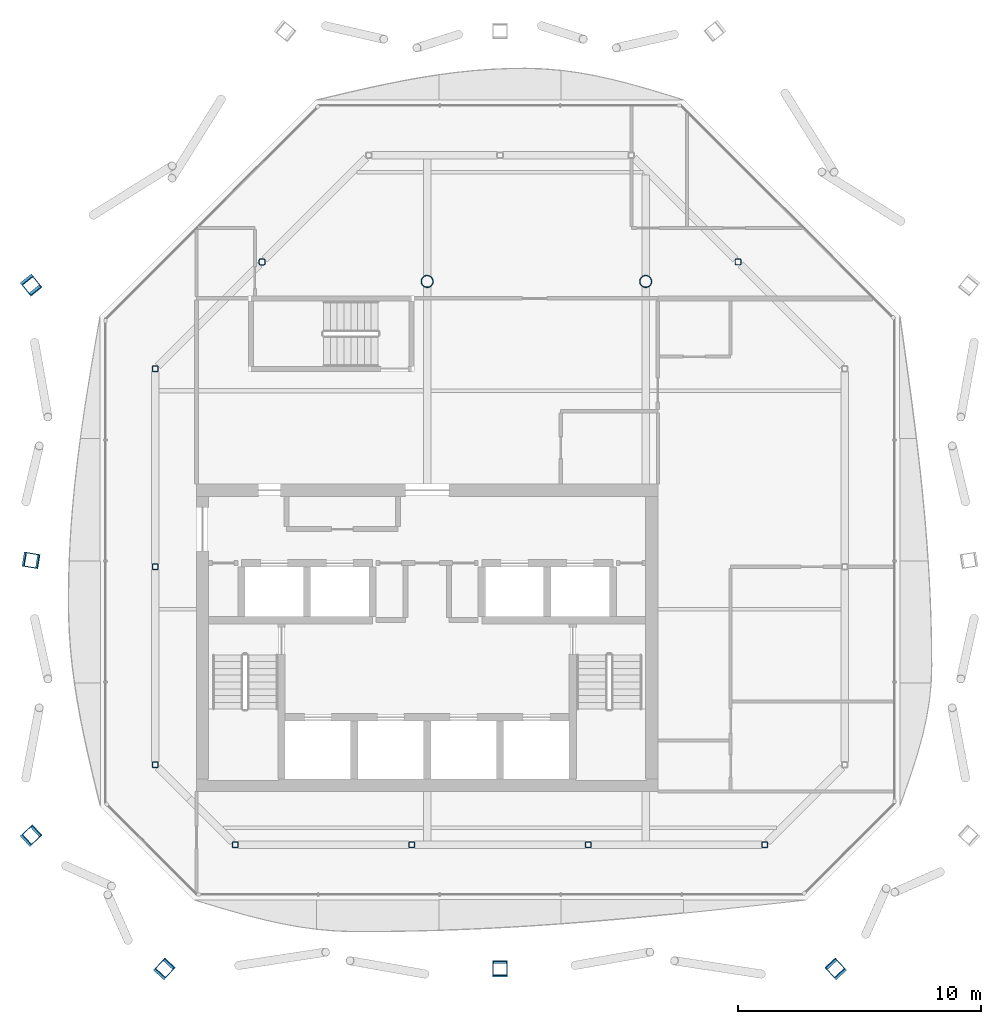
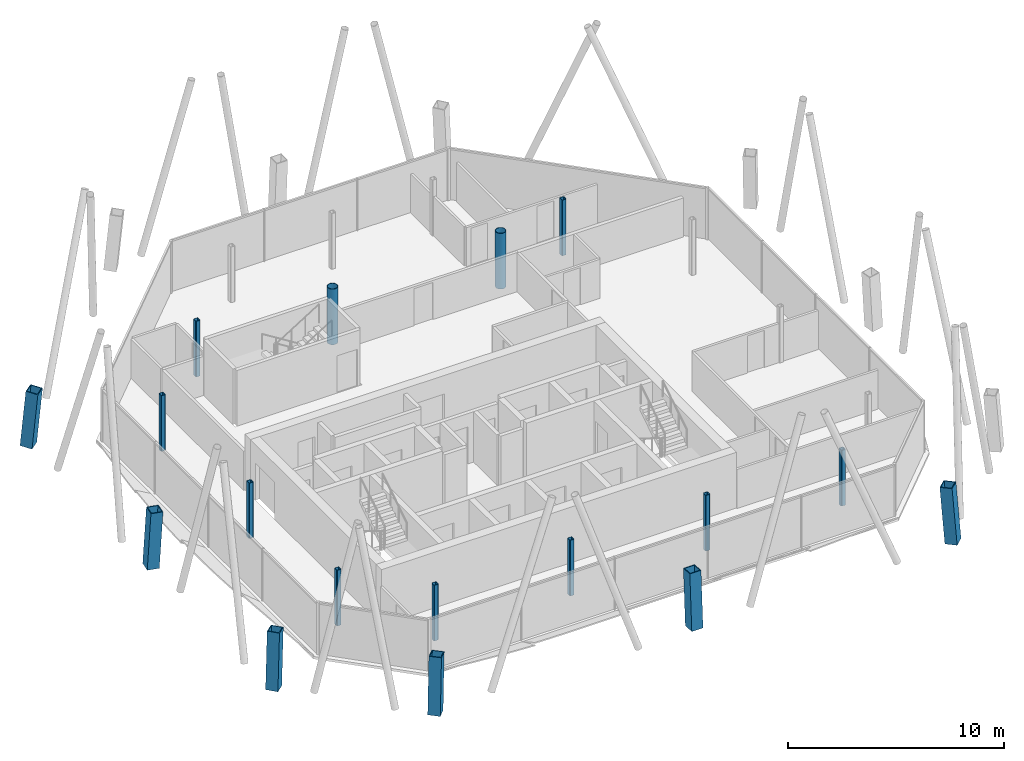
# One storey, part 1 of 14: 17 columns.
"""IFC4 building model written with IfcOpenShell, lengths in metres."""

import ifcopenshell
import ifcopenshell.guid

model = None  # the IFC model being written
_history = None  # IfcOwnerHistory: only IFC2X3 demands one
_inside = {}  # id of a spatial element -> (the spatial element, [elements in it])
_under = {}  # id of a project, library or spatial element -> (it, [spatial elements below it])
_declared = {}  # id of a project -> (the project, [libraries it declares])
_typed = {}  # id of a type object -> (the type object, [elements of that type])
_made_of = {}  # id of a material, layer set ... -> (it, [elements and type objects made of it])


def new_model(schema):
    """Start an empty IFC model of exactly this schema.

    Asked for "IFC4X3", IfcOpenShell would pick the latest addendum, in which some entities
    have other attributes; the version numbers below select the first issue.
    IFC2X3 requires an IfcOwnerHistory on every rooted entity: one is made here for all.
    """
    global model, _history
    if schema == "IFC4X3":
        model = ifcopenshell.file(schema_version=(4, 3, 0, 0))
    else:
        model = ifcopenshell.file(schema=schema)
    _inside.clear()
    _under.clear()
    _declared.clear()
    _typed.clear()
    _made_of.clear()
    _history = None
    if model.schema == "IFC2X3":
        org = make("IfcOrganization", Name="unknown")
        user = make(
            "IfcPersonAndOrganization",
            ThePerson=make("IfcPerson", FamilyName="unknown"),
            TheOrganization=org,
        )
        app = make(
            "IfcApplication",
            ApplicationDeveloper=org,
            Version="unknown",
            ApplicationFullName="unknown",
            ApplicationIdentifier="unknown",
        )
        _history = make(
            "IfcOwnerHistory",
            OwningUser=user,
            OwningApplication=app,
            ChangeAction="ADDED",
            CreationDate=0,
        )
    return model


def make(cls, **values):
    """One entity of the class cls with the attributes given. An attribute that is None is left unset."""
    return model.create_entity(
        cls, **{name: value for name, value in values.items() if value is not None}
    )


def rooted(cls, **values):
    """An entity with a GlobalId (a new one), such as an element, a storey or a relation."""
    return make(cls, GlobalId=ifcopenshell.guid.new(), OwnerHistory=_history, **values)


def si_unit(unit_type, name, prefix=None):
    """IfcSIUnit, for example si_unit("LENGTHUNIT", "METRE", prefix="MILLI")."""
    return make("IfcSIUnit", UnitType=unit_type, Prefix=prefix, Name=name)


def assignment(units):
    """IfcUnitAssignment: the units of a project."""
    return None if units is None else make("IfcUnitAssignment", Units=units)


def point(xyz):
    """IfcCartesianPoint."""
    return None if xyz is None else make("IfcCartesianPoint", Coordinates=xyz)


def direction(xyz):
    """IfcDirection."""
    return None if xyz is None else make("IfcDirection", DirectionRatios=xyz)


def frame(location, z_axis=None, x_axis=None):
    """IfcAxis2Placement3D, a coordinate frame: its origin and axes. An axis left out is left unset."""
    return make(
        "IfcAxis2Placement3D",
        Location=point(location),
        Axis=direction(z_axis),
        RefDirection=direction(x_axis),
    )


def frame_2d(location, x_axis=None):
    """IfcAxis2Placement2D, a coordinate frame in the plane: its origin and x axis."""
    return make(
        "IfcAxis2Placement2D", Location=point(location), RefDirection=direction(x_axis)
    )


def origin():
    """The frame at (0, 0, 0) with its axes left unset."""
    return frame((0.0, 0.0, 0.0))


def origin_2d():
    """The frame at (0, 0) in the plane with its x axis left unset."""
    return frame_2d((0.0, 0.0))


def place(relative_to, where):
    """IfcLocalPlacement: puts the frame where relative to a parent placement (None: the world)."""
    return make(
        "IfcLocalPlacement", PlacementRelTo=relative_to, RelativePlacement=where
    )


def context(
    kind, dimensions, precision=None, world=None, true_north=None, identifier=None
):
    """IfcGeometricRepresentationContext, for example the 3D "Model" context."""
    return make(
        "IfcGeometricRepresentationContext",
        ContextIdentifier=identifier,
        ContextType=kind,
        CoordinateSpaceDimension=dimensions,
        Precision=precision,
        WorldCoordinateSystem=world,
        TrueNorth=true_north,
    )


def subcontext(parent, identifier, kind, view, scale=None):
    """IfcGeometricRepresentationSubContext, for example "Body" below "Model"."""
    return make(
        "IfcGeometricRepresentationSubContext",
        ContextIdentifier=identifier,
        ContextType=kind,
        ParentContext=parent,
        TargetScale=scale,
        TargetView=view,
    )


def project(units=None, contexts=None):
    """IfcProject with its units and contexts."""
    return rooted(
        "IfcProject",
        Name="project",
        RepresentationContexts=contexts,
        UnitsInContext=assignment(units),
    )


def spatial(cls, under=None, at=None, **own):
    """A site, building, storey or space (cls), placed at a placement, below another one or the project."""
    s = rooted(cls, ObjectPlacement=at, **own)
    if under is not None:
        _under.setdefault(under.id(), (under, []))[1].append(s)
    return s


def profile(cls, at=None, kind="AREA", **sizes):
    """A parametric profile (cls). Its sizes go by their IFC names, for example OverallWidth=200.0."""
    return make(cls, ProfileType=kind, Position=at, **sizes)


def hollow_rectangle(**sizes):
    """IfcRectangleHollowProfileDef."""
    return profile("IfcRectangleHollowProfileDef", **sizes)


def hollow_circle(**sizes):
    """IfcCircleHollowProfileDef."""
    return profile("IfcCircleHollowProfileDef", **sizes)


def extrude(swept, where, along, depth):
    """IfcExtrudedAreaSolid: the profile swept, set in the frame where, extruded along a direction by depth."""
    return make(
        "IfcExtrudedAreaSolid",
        SweptArea=swept,
        Position=where,
        ExtrudedDirection=direction(along),
        Depth=depth,
    )


def shape(context_of_items, identifier, shape_type, items):
    """IfcShapeRepresentation: the items that make up one representation, for example the "Body"."""
    return make(
        "IfcShapeRepresentation",
        ContextOfItems=context_of_items,
        RepresentationIdentifier=identifier,
        RepresentationType=shape_type,
        Items=items,
    )


def material(Name=None, Category=None):
    """IfcMaterial."""
    return make("IfcMaterial", Name=Name, Category=Category)


def material_profile(
    of_material, cross_section, Name=None, Category=None, Priority=None
):
    """IfcMaterialProfile: a cross section and its material."""
    return make(
        "IfcMaterialProfile",
        Name=Name,
        Material=of_material,
        Profile=cross_section,
        Priority=Priority,
        Category=Category,
    )


def profile_set(profiles, Name=None, composite=None):
    """IfcMaterialProfileSet."""
    return make(
        "IfcMaterialProfileSet",
        Name=Name,
        MaterialProfiles=profiles,
        CompositeProfile=composite,
    )


def made_of(thing, what):
    """Note that an element or type object is made of a material, layer set ...; save() writes the relation."""
    if what is not None:
        _made_of.setdefault(what.id(), (what, []))[1].append(thing)
    return thing


def type_object(cls, material=None, **own):
    """A type object (cls), such as IfcWallType, which elements share."""
    return made_of(rooted(cls, **own), material)


def element(
    cls,
    number,
    at=None,
    inside=None,
    cuts=None,
    type_object=None,
    material=None,
    context=None,
    identifier="Body",
    shape_type=None,
    held_by="IfcProductDefinitionShape",
    body=None,
    shapes=None,
    **own,
):
    """One element of the class cls, such as IfcWall. Its Tag is "e" and its number.

    at: its placement. inside: the storey or other place that contains it. cuts: it is an
    opening in that element (IfcRelVoidsElement). A single representation is given by context,
    identifier, shape_type and body (its items); several are given by shapes. held_by: the class
    of the entity that holds the representations. save() writes the other relations.
    """
    e = rooted(cls, Tag="e%d" % number, ObjectPlacement=at, **own)
    if body is not None:
        shapes = [shape(context, identifier, shape_type, body)]
    if shapes is not None:
        e.Representation = make(held_by, Representations=shapes)
    if inside is not None:
        _inside.setdefault(inside.id(), (inside, []))[1].append(e)
    if cuts is not None:
        rooted(
            "IfcRelVoidsElement", RelatingBuildingElement=cuts, RelatedOpeningElement=e
        )
    if type_object is not None:
        _typed.setdefault(type_object.id(), (type_object, []))[1].append(e)
    return made_of(e, material)


def aggregate(whole, parts):
    """IfcRelAggregates: a whole, such as a stair, and the parts it consists of."""
    return rooted("IfcRelAggregates", RelatingObject=whole, RelatedObjects=parts)


def save(model, path):
    """Write the relations noted so far, then the file.

    IfcRelAggregates (storeys below a building ...), IfcRelContainedInSpatialStructure (elements
    in a storey), IfcRelDefinesByType, IfcRelAssociatesMaterial and IfcRelDeclares: one each for
    every whole, place, type object, material and project.
    """
    for whole, parts in _under.values():
        aggregate(whole, parts)
    for where, things in _inside.values():
        rooted(
            "IfcRelContainedInSpatialStructure",
            RelatedElements=things,
            RelatingStructure=where,
        )
    for kind, things in _typed.values():
        rooted("IfcRelDefinesByType", RelatedObjects=things, RelatingType=kind)
    for what, things in _made_of.values():
        rooted("IfcRelAssociatesMaterial", RelatedObjects=things, RelatingMaterial=what)
    for by, libraries in _declared.values():
        rooted("IfcRelDeclares", RelatingContext=by, RelatedDefinitions=libraries)
    model.write(path)


model = new_model("IFC4")

# Units and contexts
model_context = context("Model", 3, precision=1e-05, world=origin(), true_north=direction((0.0, 1.0)))
body_context = subcontext(model_context, "Body", "Model", "MODEL_VIEW")
ifc_project = project(units=[si_unit("LENGTHUNIT", "METRE"), si_unit("AREAUNIT", "SQUARE_METRE"), si_unit("VOLUMEUNIT", "CUBIC_METRE"), si_unit("PLANEANGLEUNIT", "RADIAN"), si_unit("MASSUNIT", "GRAM", prefix="KILO")], contexts=[model_context])

# Site, building, storey
site_placement = place(None, origin())
site = spatial("IfcSite", under=ifc_project, at=site_placement, CompositionType="ELEMENT")
building_placement = place(site_placement, origin())
building = spatial("IfcBuilding", under=site, at=building_placement, Name="Tskaro Facet Tower", CompositionType="ELEMENT")
storey_placement = place(building_placement, frame((0.0, 0.0, 268.949951171875)))
storey = spatial("IfcBuildingStorey", under=building, at=storey_placement, Name="L71", CompositionType="ELEMENT", Elevation=268.949951171875)

# Columns
ifc_material_1 = material(Name="Steel S355J2", Category="steel")
ifc_material_profile_1 = material_profile(ifc_material_1, hollow_rectangle(XDim=0.60009765625, YDim=0.60009765625, WallThickness=0.0400390625, at=origin_2d()), Name="BOX 600x600x40")
ifc_profile_set_1 = profile_set([ifc_material_profile_1], Name="Steel S355J2")
column_type_1 = type_object("IfcColumnType", Name="BOX 600x600x40 mega column", PredefinedType="COLUMN", material=ifc_profile_set_1)
column_1_placement = place(storey_placement, frame((-10.85498046875, -19.344970703125, 0.0), z_axis=(0.052848827493, 0.057561953922, 0.996942136181), x_axis=(-0.736620357353, 0.676306475744, 0.0)))
element("IfcColumn", 1, at=column_1_placement, inside=storey, type_object=column_type_1, Name="BOX 600x600x40 MC01/6", PredefinedType="COLUMN", context=body_context, shape_type="SweptSolid", body=[
    extrude(hollow_rectangle(XDim=0.60009765625, YDim=0.60009765625, WallThickness=0.0400390625, at=origin_2d()), origin(), (0.0, 0.0, 1.0), 3.159912109375),
])
column_2_placement = place(storey_placement, frame((3.0, -19.344970703125, 0.0), z_axis=(0.0, 0.057642507929, 0.998337288335), x_axis=(-1.0, 0.0, 0.0)))
element("IfcColumn", 2, at=column_2_placement, inside=storey, type_object=column_type_1, Name="BOX 600x600x40 MC02/6", PredefinedType="COLUMN", context=body_context, shape_type="SweptSolid", body=[
    extrude(hollow_rectangle(XDim=0.60009765625, YDim=0.60009765625, WallThickness=0.0400390625, at=origin_2d()), origin(), (0.0, 0.0, 1.0), 3.1552734375),
])
column_3_placement = place(storey_placement, frame((16.85498046875, -19.344970703125, 0.0), z_axis=(-0.052848827493, 0.057561953922, 0.996942136181), x_axis=(-0.736620357353, -0.676306475744, 0.0)))
element("IfcColumn", 3, at=column_3_placement, inside=storey, type_object=column_type_1, Name="BOX 600x600x40 MC03/6", PredefinedType="COLUMN", context=body_context, shape_type="SweptSolid", body=[
    extrude(hollow_rectangle(XDim=0.60009765625, YDim=0.60009765625, WallThickness=0.0400390625, at=origin_2d()), origin(), (0.0, 0.0, 1.0), 3.159912109375),
])
column_4_placement = place(storey_placement, frame((-16.344970703125, 8.89306640625, 0.0), z_axis=(0.057493856374, -0.071770854266, 0.995762723221), x_axis=(0.780459274208, 0.625206622887, 0.0)))
element("IfcColumn", 4, at=column_4_placement, inside=storey, type_object=column_type_1, Name="BOX 600x600x40 MC10/6", PredefinedType="COLUMN", context=body_context, shape_type="SweptSolid", body=[
    extrude(hollow_rectangle(XDim=0.60009765625, YDim=0.60009765625, WallThickness=0.0400390625, at=origin_2d()), origin(), (0.0, 0.0, 1.0), 3.16357421875),
])
column_5_placement = place(storey_placement, frame((-16.344970703125, -2.48095703125, 0.0), z_axis=(0.057639897771, -0.009516385807, 0.998292081801), x_axis=(0.162895476227, 0.986643331617, 0.0)))
element("IfcColumn", 5, at=column_5_placement, inside=storey, type_object=column_type_1, Name="BOX 600x600x40 MC11/6", PredefinedType="COLUMN", context=body_context, shape_type="SweptSolid", body=[
    extrude(hollow_rectangle(XDim=0.60009765625, YDim=0.60009765625, WallThickness=0.0400390625, at=origin_2d()), origin(), (0.0, 0.0, 1.0), 3.155517578125),
])
column_6_placement = place(storey_placement, frame((-16.344970703125, -13.85498046875, 0.0), z_axis=(0.057561953922, 0.052848827493, 0.996942136181), x_axis=(-0.676306475744, 0.736620357353, 0.0)))
element("IfcColumn", 6, at=column_6_placement, inside=storey, type_object=column_type_1, Name="BOX 600x600x40 MC12/6", PredefinedType="COLUMN", context=body_context, shape_type="SweptSolid", body=[
    extrude(hollow_rectangle(XDim=0.60009765625, YDim=0.60009765625, WallThickness=0.0400390625, at=origin_2d()), origin(), (0.0, 0.0, 1.0), 3.159912109375),
])
ifc_material_2 = material(Name="Steel S355J2H", Category="steel")
ifc_material_profile_2 = material_profile(ifc_material_2, hollow_circle(Radius=0.25390625, WallThickness=0.02490234375, at=origin_2d()), Name="CHS 508x25")
ifc_profile_set_2 = profile_set([ifc_material_profile_2], Name="Steel S355J2H")
column_type_2 = type_object("IfcColumnType", Name="CHS 508x25 interior column", PredefinedType="COLUMN", material=ifc_profile_set_2)
for number, where, z_axis, x_axis, name in (
    (7, (0.0, 9.0, 0.0), (0.0, 0.0, 1.0), (1.0, 0.0, 0.0), "CHS 508x25 C4E/6"),
    (8, (9.0, 9.0, 0.0), (0.0, 0.0, 1.0), (1.0, 0.0, 0.0), "CHS 508x25 C5E/6"),
):
    element("IfcColumn", number, at=place(storey_placement, frame(where, z_axis=z_axis, x_axis=x_axis)), inside=storey, type_object=column_type_2, Name=name, PredefinedType="COLUMN", context=body_context, shape_type="SweptSolid", body=[
        extrude(hollow_circle(Radius=0.25390625, WallThickness=0.02490234375, at=origin_2d()), origin(), (0.0, 0.0, 1.0), 3.150146484375),
    ])
ifc_material_profile_3 = material_profile(ifc_material_2, hollow_rectangle(XDim=0.25, YDim=0.25, WallThickness=0.02001953125, InnerFilletRadius=0.030029296875, OuterFilletRadius=0.050048828125, at=origin_2d()), Name="SHS 250x250x20")
ifc_profile_set_3 = profile_set([ifc_material_profile_3], Name="Steel S355J2H")
column_type_3 = type_object("IfcColumnType", Name="SHS 250x250x20 ring column", PredefinedType="COLUMN", material=ifc_profile_set_3)
for number, where, z_axis, x_axis, name in (
    (9, (-7.903076171875, -14.199951171875, 0.0), (0.0, 0.0, 1.0), (1.0, 0.0, 0.0), "SHS 250x250x20 RS-1/6"),
    (10, (-0.634033203125, -14.199951171875, 0.0), (0.0, 0.0, 1.0), (1.0, 0.0, 0.0), "SHS 250x250x20 RS-2/6"),
    (11, (6.634033203125, -14.199951171875, 0.0), (0.0, 0.0, 1.0), (1.0, 0.0, 0.0), "SHS 250x250x20 RS-3/6"),
    (12, (13.903076171875, -14.199951171875, 0.0), (0.0, 0.0, 1.0), (1.0, 0.0, 0.0), "SHS 250x250x20 RSE-1/6"),
    (13, (12.802001953125, 9.802001953125, 0.0), (0.0, 0.0, 1.0), (1.0, 0.0, 0.0), "SHS 250x250x20 RNE-2/6"),
    (14, (-6.801025390625, 9.801025390625, 0.0), (0.0, 0.0, 1.0), (1.0, 0.0, 0.0), "SHS 250x250x20 RNW-2/6"),
    (15, (-11.199951171875, 5.403076171875, 0.0), (0.0, 0.0, 1.0), (1.0, 0.0, 0.0), "SHS 250x250x20 RW-1/6"),
    (16, (-11.199951171875, -2.75, 0.0), (0.0, 0.0, 1.0), (1.0, 0.0, 0.0), "SHS 250x250x20 RW-2/6"),
    (17, (-11.199951171875, -10.903076171875, 0.0), (0.0, 0.0, 1.0), (1.0, 0.0, 0.0), "SHS 250x250x20 RSW-1/6"),
):
    element("IfcColumn", number, at=place(storey_placement, frame(where, z_axis=z_axis, x_axis=x_axis)), inside=storey, type_object=column_type_3, Name=name, PredefinedType="COLUMN", context=body_context, shape_type="SweptSolid", body=[
        extrude(hollow_rectangle(XDim=0.25, YDim=0.25, WallThickness=0.02001953125, InnerFilletRadius=0.030029296875, OuterFilletRadius=0.050048828125, at=origin_2d()), origin(), (0.0, 0.0, 1.0), 3.150146484375),
    ])

save(model, "model.ifc")
